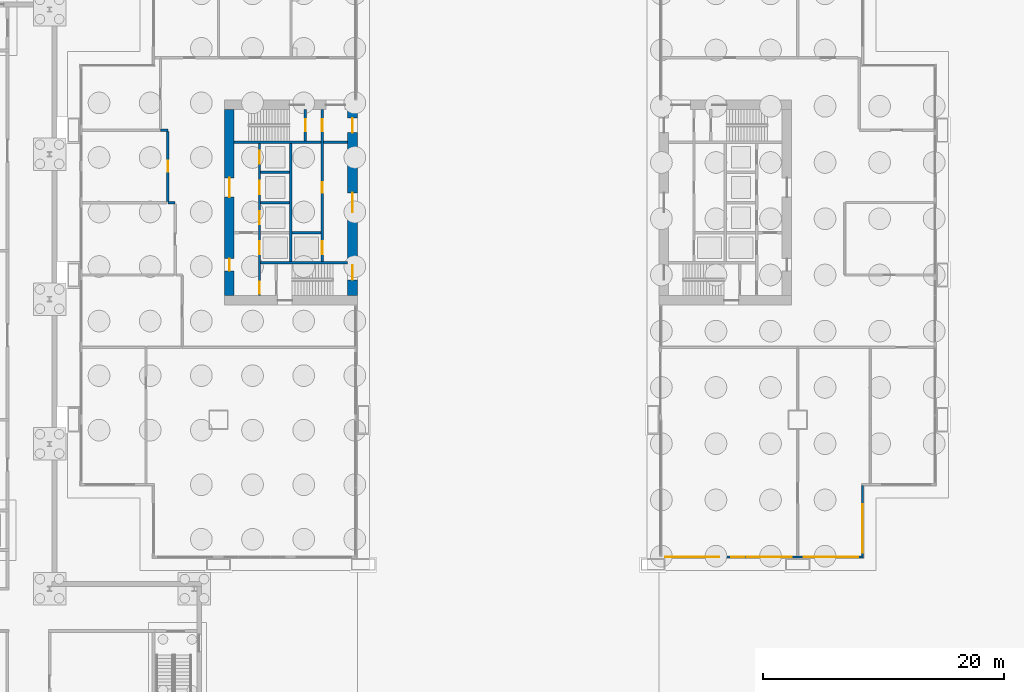
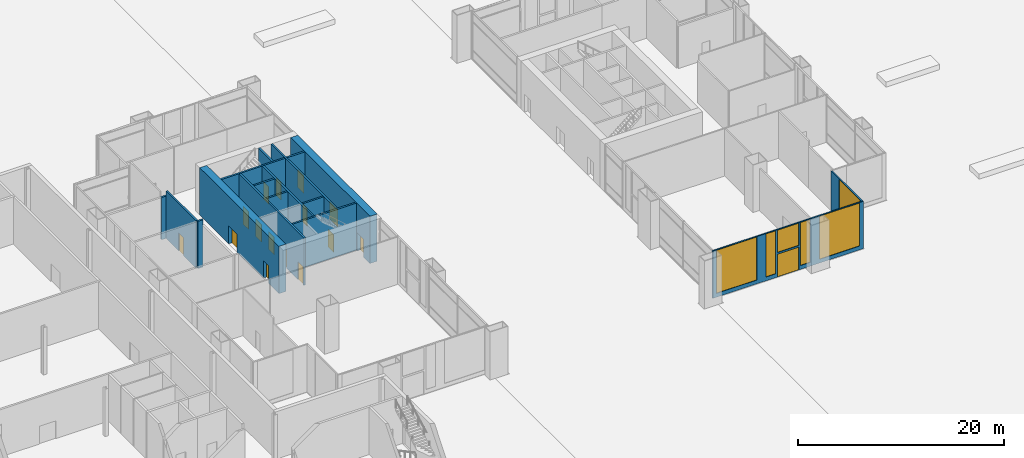
# One storey, part 21 of 29: 17 walls, 16 doors, 6 windows, 22 openings.
"""IFC4 building model written with IfcOpenShell, lengths in metres."""

import ifcopenshell
import ifcopenshell.guid

model = None  # the IFC model being written
_history = None  # IfcOwnerHistory: only IFC2X3 demands one
_inside = {}  # id of a spatial element -> (the spatial element, [elements in it])
_under = {}  # id of a project, library or spatial element -> (it, [spatial elements below it])
_declared = {}  # id of a project -> (the project, [libraries it declares])
_typed = {}  # id of a type object -> (the type object, [elements of that type])
_made_of = {}  # id of a material, layer set ... -> (it, [elements and type objects made of it])


def new_model(schema):
    """Start an empty IFC model of exactly this schema.

    Asked for "IFC4X3", IfcOpenShell would pick the latest addendum, in which some entities
    have other attributes; the version numbers below select the first issue.
    IFC2X3 requires an IfcOwnerHistory on every rooted entity: one is made here for all.
    """
    global model, _history
    if schema == "IFC4X3":
        model = ifcopenshell.file(schema_version=(4, 3, 0, 0))
    else:
        model = ifcopenshell.file(schema=schema)
    _inside.clear()
    _under.clear()
    _declared.clear()
    _typed.clear()
    _made_of.clear()
    _history = None
    if model.schema == "IFC2X3":
        org = make("IfcOrganization", Name="unknown")
        user = make(
            "IfcPersonAndOrganization",
            ThePerson=make("IfcPerson", FamilyName="unknown"),
            TheOrganization=org,
        )
        app = make(
            "IfcApplication",
            ApplicationDeveloper=org,
            Version="unknown",
            ApplicationFullName="unknown",
            ApplicationIdentifier="unknown",
        )
        _history = make(
            "IfcOwnerHistory",
            OwningUser=user,
            OwningApplication=app,
            ChangeAction="ADDED",
            CreationDate=0,
        )
    return model


def make(cls, **values):
    """One entity of the class cls with the attributes given. An attribute that is None is left unset."""
    return model.create_entity(
        cls, **{name: value for name, value in values.items() if value is not None}
    )


def rooted(cls, **values):
    """An entity with a GlobalId (a new one), such as an element, a storey or a relation."""
    return make(cls, GlobalId=ifcopenshell.guid.new(), OwnerHistory=_history, **values)


def si_unit(unit_type, name, prefix=None):
    """IfcSIUnit, for example si_unit("LENGTHUNIT", "METRE", prefix="MILLI")."""
    return make("IfcSIUnit", UnitType=unit_type, Prefix=prefix, Name=name)


def assignment(units):
    """IfcUnitAssignment: the units of a project."""
    return None if units is None else make("IfcUnitAssignment", Units=units)


def point(xyz):
    """IfcCartesianPoint."""
    return None if xyz is None else make("IfcCartesianPoint", Coordinates=xyz)


def direction(xyz):
    """IfcDirection."""
    return None if xyz is None else make("IfcDirection", DirectionRatios=xyz)


def frame(location, z_axis=None, x_axis=None):
    """IfcAxis2Placement3D, a coordinate frame: its origin and axes. An axis left out is left unset."""
    return make(
        "IfcAxis2Placement3D",
        Location=point(location),
        Axis=direction(z_axis),
        RefDirection=direction(x_axis),
    )


def frame_2d(location, x_axis=None):
    """IfcAxis2Placement2D, a coordinate frame in the plane: its origin and x axis."""
    return make(
        "IfcAxis2Placement2D", Location=point(location), RefDirection=direction(x_axis)
    )


def origin():
    """The frame at (0, 0, 0) with its axes left unset."""
    return frame((0.0, 0.0, 0.0))


def place(relative_to, where):
    """IfcLocalPlacement: puts the frame where relative to a parent placement (None: the world)."""
    return make(
        "IfcLocalPlacement", PlacementRelTo=relative_to, RelativePlacement=where
    )


def context(
    kind, dimensions, precision=None, world=None, true_north=None, identifier=None
):
    """IfcGeometricRepresentationContext, for example the 3D "Model" context."""
    return make(
        "IfcGeometricRepresentationContext",
        ContextIdentifier=identifier,
        ContextType=kind,
        CoordinateSpaceDimension=dimensions,
        Precision=precision,
        WorldCoordinateSystem=world,
        TrueNorth=true_north,
    )


def subcontext(parent, identifier, kind, view, scale=None):
    """IfcGeometricRepresentationSubContext, for example "Body" below "Model"."""
    return make(
        "IfcGeometricRepresentationSubContext",
        ContextIdentifier=identifier,
        ContextType=kind,
        ParentContext=parent,
        TargetScale=scale,
        TargetView=view,
    )


def project(units=None, contexts=None):
    """IfcProject with its units and contexts."""
    return rooted(
        "IfcProject",
        Name="project",
        RepresentationContexts=contexts,
        UnitsInContext=assignment(units),
    )


def spatial(cls, under=None, at=None, **own):
    """A site, building, storey or space (cls), placed at a placement, below another one or the project."""
    s = rooted(cls, ObjectPlacement=at, **own)
    if under is not None:
        _under.setdefault(under.id(), (under, []))[1].append(s)
    return s


def profile(cls, at=None, kind="AREA", **sizes):
    """A parametric profile (cls). Its sizes go by their IFC names, for example OverallWidth=200.0."""
    return make(cls, ProfileType=kind, Position=at, **sizes)


def rectangle(**sizes):
    """IfcRectangleProfileDef."""
    return profile("IfcRectangleProfileDef", **sizes)


def extrude(swept, where, along, depth):
    """IfcExtrudedAreaSolid: the profile swept, set in the frame where, extruded along a direction by depth."""
    return make(
        "IfcExtrudedAreaSolid",
        SweptArea=swept,
        Position=where,
        ExtrudedDirection=direction(along),
        Depth=depth,
    )


def shape(context_of_items, identifier, shape_type, items):
    """IfcShapeRepresentation: the items that make up one representation, for example the "Body"."""
    return make(
        "IfcShapeRepresentation",
        ContextOfItems=context_of_items,
        RepresentationIdentifier=identifier,
        RepresentationType=shape_type,
        Items=items,
    )


def material(Name=None, Category=None):
    """IfcMaterial."""
    return make("IfcMaterial", Name=Name, Category=Category)


def layer(
    of_material, thickness, ventilated=None, Name=None, Category=None, Priority=None
):
    """IfcMaterialLayer: one layer of a wall or slab, of a material (None: an air gap)."""
    return make(
        "IfcMaterialLayer",
        Material=of_material,
        LayerThickness=thickness,
        IsVentilated=ventilated,
        Name=Name,
        Category=Category,
        Priority=Priority,
    )


def layer_set(layers, Name=None):
    """IfcMaterialLayerSet."""
    return make("IfcMaterialLayerSet", MaterialLayers=layers, LayerSetName=Name)


def made_of(thing, what):
    """Note that an element or type object is made of a material, layer set ...; save() writes the relation."""
    if what is not None:
        _made_of.setdefault(what.id(), (what, []))[1].append(thing)
    return thing


def type_object(cls, material=None, **own):
    """A type object (cls), such as IfcWallType, which elements share."""
    return made_of(rooted(cls, **own), material)


def element(
    cls,
    number,
    at=None,
    inside=None,
    cuts=None,
    type_object=None,
    material=None,
    context=None,
    identifier="Body",
    shape_type=None,
    held_by="IfcProductDefinitionShape",
    body=None,
    shapes=None,
    **own,
):
    """One element of the class cls, such as IfcWall. Its Tag is "e" and its number.

    at: its placement. inside: the storey or other place that contains it. cuts: it is an
    opening in that element (IfcRelVoidsElement). A single representation is given by context,
    identifier, shape_type and body (its items); several are given by shapes. held_by: the class
    of the entity that holds the representations. save() writes the other relations.
    """
    e = rooted(cls, Tag="e%d" % number, ObjectPlacement=at, **own)
    if body is not None:
        shapes = [shape(context, identifier, shape_type, body)]
    if shapes is not None:
        e.Representation = make(held_by, Representations=shapes)
    if inside is not None:
        _inside.setdefault(inside.id(), (inside, []))[1].append(e)
    if cuts is not None:
        rooted(
            "IfcRelVoidsElement", RelatingBuildingElement=cuts, RelatedOpeningElement=e
        )
    if type_object is not None:
        _typed.setdefault(type_object.id(), (type_object, []))[1].append(e)
    return made_of(e, material)


def fill(opening, filler):
    """IfcRelFillsElement: the door or window that sits in an opening."""
    return rooted(
        "IfcRelFillsElement",
        RelatingOpeningElement=opening,
        RelatedBuildingElement=filler,
    )


def aggregate(whole, parts):
    """IfcRelAggregates: a whole, such as a stair, and the parts it consists of."""
    return rooted("IfcRelAggregates", RelatingObject=whole, RelatedObjects=parts)


def save(model, path):
    """Write the relations noted so far, then the file.

    IfcRelAggregates (storeys below a building ...), IfcRelContainedInSpatialStructure (elements
    in a storey), IfcRelDefinesByType, IfcRelAssociatesMaterial and IfcRelDeclares: one each for
    every whole, place, type object, material and project.
    """
    for whole, parts in _under.values():
        aggregate(whole, parts)
    for where, things in _inside.values():
        rooted(
            "IfcRelContainedInSpatialStructure",
            RelatedElements=things,
            RelatingStructure=where,
        )
    for kind, things in _typed.values():
        rooted("IfcRelDefinesByType", RelatedObjects=things, RelatingType=kind)
    for what, things in _made_of.values():
        rooted("IfcRelAssociatesMaterial", RelatedObjects=things, RelatingMaterial=what)
    for by, libraries in _declared.values():
        rooted("IfcRelDeclares", RelatingContext=by, RelatedDefinitions=libraries)
    model.write(path)


model = new_model("IFC4")

# Units and contexts
model_context = context("Model", 3, precision=1e-05, world=origin(), true_north=direction((0.0, 1.0)))
body_context = subcontext(model_context, "Body", "Model", "MODEL_VIEW")
ifc_project = project(units=[si_unit("LENGTHUNIT", "METRE"), si_unit("AREAUNIT", "SQUARE_METRE"), si_unit("VOLUMEUNIT", "CUBIC_METRE"), si_unit("PLANEANGLEUNIT", "RADIAN"), si_unit("MASSUNIT", "GRAM", prefix="KILO")], contexts=[model_context])

# Site, building, storey
site_placement = place(None, origin())
site = spatial("IfcSite", under=ifc_project, at=site_placement, CompositionType="ELEMENT")
building_placement = place(site_placement, origin())
building = spatial("IfcBuilding", under=site, at=building_placement, Name="Kitamizu Gate Tower and Museum", CompositionType="ELEMENT")
storey_placement = place(building_placement, origin())
storey = spatial("IfcBuildingStorey", under=building, at=storey_placement, Name="L00", CompositionType="ELEMENT", Elevation=0.0)

# Wall, openings, doors
ifc_material_1 = material(Name="Concrete Fc60", Category="concrete")
ifc_layer_1 = layer(ifc_material_1, 0.800048828125)
ifc_layer_set_1 = layer_set([ifc_layer_1], Name="Concrete Fc60")
wall_type_1 = type_object("IfcWallType", Name="Core wall 800", PredefinedType="SHEAR", material=ifc_layer_set_1)
wall_1_placement = place(storey_placement, frame((12.89990234375, 22.300048828125, 0.0), z_axis=(0.0, 0.0, 1.0), x_axis=(0.0, 1.0, 0.0)))
wall_1 = element("IfcWall", 1, at=wall_1_placement, inside=storey, type_object=wall_type_1, Name="Core wall WOUT", PredefinedType="SHEAR", context=body_context, shape_type="SweptSolid", body=[
    extrude(rectangle(XDim=15.39990234375, YDim=0.800048828125, at=frame_2d((7.699951171875, 0.0))), origin(), (0.0, 0.0, 1.0), 5.60009765625),
])
opening_1_placement = place(wall_1_placement, frame((8.14990234375, 0.0, 0.0)))
opening_1 = element("IfcOpeningElement", 2, at=opening_1_placement, cuts=wall_1, Name="Opening L00-020", PredefinedType="OPENING", context=body_context, shape_type="SweptSolid", body=[
    extrude(rectangle(XDim=1.60009765625, YDim=2.10009765625, at=frame_2d((0.800048828125, 1.050048828125))), frame((0.0, 0.41015625, 0.0), z_axis=(0.0, -1.0, 0.0), x_axis=(1.0, 0.0, 0.0)), (0.0, 0.0, 1.0), 0.820068359375),
])
opening_2_placement = place(wall_1_placement, frame((2.050048828125, 0.0, 0.0)))
opening_2 = element("IfcOpeningElement", 3, at=opening_2_placement, cuts=wall_1, Name="Opening L00-021", PredefinedType="OPENING", context=body_context, shape_type="SweptSolid", body=[
    extrude(rectangle(XDim=1.0, YDim=2.10009765625, at=frame_2d((0.5, 1.050048828125))), frame((0.0, 0.41015625, 0.0), z_axis=(0.0, -1.0, 0.0), x_axis=(1.0, 0.0, 0.0)), (0.0, 0.0, 1.0), 0.820068359375),
])
ifc_material_2 = material(Name="Timber door set", Category="wood")
door_type_1 = type_object("IfcDoorType", Name="Entrance door 1600", OperationType="DOUBLE_DOOR_SINGLE_SWING", PredefinedType="DOOR", material=ifc_material_2)
door_1_placement = place(opening_1_placement, origin())
door_1 = element("IfcDoor", 4, at=door_1_placement, inside=storey, type_object=door_type_1, Name="Lobby door L00-020", OperationType="DOUBLE_DOOR_SINGLE_SWING", OverallHeight=2.10009765625, OverallWidth=1.60009765625, PredefinedType="DOOR", context=body_context, shape_type="SweptSolid", body=[
    extrude(rectangle(XDim=1.60009765625, YDim=2.10009765625, at=frame_2d((0.800048828125, 1.050048828125))), frame((0.0, 0.02490234375, 0.0), z_axis=(0.0, -1.0, 0.0), x_axis=(1.0, 0.0, 0.0)), (0.0, 0.0, 1.0), 0.050048828125),
])
fill(opening_1, door_1)
ifc_material_3 = material(Name="Hollow metal door set")
door_type_2 = type_object("IfcDoorType", Name="Fire door 1000", OperationType="NOTDEFINED", PredefinedType="DOOR", material=ifc_material_3)
door_2_placement = place(opening_2_placement, frame((1.0, 0.0, 0.0), x_axis=(-1.0, 0.0, 0.0)))
door_2 = element("IfcDoor", 5, at=door_2_placement, inside=storey, type_object=door_type_2, Name="Fire-fighting lobby door L00-021", OperationType="SINGLE_SWING_RIGHT", OverallHeight=2.10009765625, OverallWidth=1.0, PredefinedType="DOOR", context=body_context, shape_type="SweptSolid", body=[
    extrude(rectangle(XDim=1.0, YDim=2.10009765625, at=frame_2d((0.5, 1.050048828125))), frame((0.0, 0.02490234375, 0.0), z_axis=(0.0, -1.0, 0.0), x_axis=(1.0, 0.0, 0.0)), (0.0, 0.0, 1.0), 0.050048828125),
])
fill(opening_2, door_2)

wall_2_placement = place(storey_placement, frame((23.10009765625, 22.300048828125, 0.0), z_axis=(0.0, 0.0, 1.0), x_axis=(0.0, 1.0, 0.0)))
wall_2 = element("IfcWall", 6, at=wall_2_placement, inside=storey, type_object=wall_type_1, Name="Core wall WARC", PredefinedType="SHEAR", context=body_context, shape_type="SweptSolid", body=[
    extrude(rectangle(XDim=15.39990234375, YDim=0.800048828125, at=frame_2d((7.699951171875, 0.0))), origin(), (0.0, 0.0, 1.0), 5.60009765625),
])
opening_3_placement = place(wall_2_placement, frame((6.89990234375, 0.0, 0.0)))
opening_3 = element("IfcOpeningElement", 7, at=opening_3_placement, cuts=wall_2, Name="Opening L00-023", PredefinedType="OPENING", context=body_context, shape_type="SweptSolid", body=[
    extrude(rectangle(XDim=1.60009765625, YDim=2.10009765625, at=frame_2d((0.800048828125, 1.050048828125))), frame((0.0, 0.41015625, 0.0), z_axis=(0.0, -1.0, 0.0), x_axis=(1.0, 0.0, 0.0)), (0.0, 0.0, 1.0), 0.820068359375),
])
opening_4_placement = place(wall_2_placement, frame((1.300048828125, 0.0, 0.0)))
opening_4 = element("IfcOpeningElement", 8, at=opening_4_placement, cuts=wall_2, Name="Opening L00-951", PredefinedType="OPENING", context=body_context, shape_type="SweptSolid", body=[
    extrude(rectangle(XDim=1.199951171875, YDim=2.10009765625, at=frame_2d((0.60009765625, 1.050048828125))), frame((0.0, 0.41015625, 0.0), z_axis=(0.0, -1.0, 0.0), x_axis=(1.0, 0.0, 0.0)), (0.0, 0.0, 1.0), 0.820068359375),
])
opening_5_placement = place(wall_2_placement, frame((13.5, 0.0, 0.0)))
opening_5 = element("IfcOpeningElement", 9, at=opening_5_placement, cuts=wall_2, Name="Opening L00-952", PredefinedType="OPENING", context=body_context, shape_type="SweptSolid", body=[
    extrude(rectangle(XDim=1.199951171875, YDim=2.10009765625, at=frame_2d((0.60009765625, 1.050048828125))), frame((0.0, 0.41015625, 0.0), z_axis=(0.0, -1.0, 0.0), x_axis=(1.0, 0.0, 0.0)), (0.0, 0.0, 1.0), 0.820068359375),
])
door_3_placement = place(opening_3_placement, frame((1.60009765625, 0.0, 0.0), x_axis=(-1.0, 0.0, 0.0)))
door_3 = element("IfcDoor", 10, at=door_3_placement, inside=storey, type_object=door_type_1, Name="Lobby door L00-023", OperationType="DOUBLE_DOOR_SINGLE_SWING", OverallHeight=2.10009765625, OverallWidth=1.60009765625, PredefinedType="DOOR", context=body_context, shape_type="SweptSolid", body=[
    extrude(rectangle(XDim=1.60009765625, YDim=2.10009765625, at=frame_2d((0.800048828125, 1.050048828125))), frame((0.0, 0.02490234375, 0.0), z_axis=(0.0, -1.0, 0.0), x_axis=(1.0, 0.0, 0.0)), (0.0, 0.0, 1.0), 0.050048828125),
])
fill(opening_3, door_3)
ifc_material_4 = material(Name="Timber door set", Category="wood")
door_type_3 = type_object("IfcDoorType", Name="Exit door 1200", OperationType="DOUBLE_DOOR_SINGLE_SWING", PredefinedType="DOOR", material=ifc_material_4)
door_4_placement = place(opening_4_placement, frame((1.199951171875, 0.0, 0.0), x_axis=(-1.0, 0.0, 0.0)))
door_4 = element("IfcDoor", 11, at=door_4_placement, inside=storey, type_object=door_type_3, Name="Final exit door L00-951", OperationType="DOUBLE_DOOR_SINGLE_SWING", OverallHeight=2.10009765625, OverallWidth=1.199951171875, PredefinedType="DOOR", context=body_context, shape_type="SweptSolid", body=[
    extrude(rectangle(XDim=1.199951171875, YDim=2.10009765625, at=frame_2d((0.60009765625, 1.050048828125))), frame((0.0, 0.02490234375, 0.0), z_axis=(0.0, -1.0, 0.0), x_axis=(1.0, 0.0, 0.0)), (0.0, 0.0, 1.0), 0.050048828125),
])
fill(opening_4, door_4)
door_5_placement = place(opening_5_placement, frame((1.199951171875, 0.0, 0.0), x_axis=(-1.0, 0.0, 0.0)))
door_5 = element("IfcDoor", 12, at=door_5_placement, inside=storey, type_object=door_type_3, Name="Final exit door L00-952", OperationType="DOUBLE_DOOR_SINGLE_SWING", OverallHeight=2.10009765625, OverallWidth=1.199951171875, PredefinedType="DOOR", context=body_context, shape_type="SweptSolid", body=[
    extrude(rectangle(XDim=1.199951171875, YDim=2.10009765625, at=frame_2d((0.60009765625, 1.050048828125))), frame((0.0, 0.02490234375, 0.0), z_axis=(0.0, -1.0, 0.0), x_axis=(1.0, 0.0, 0.0)), (0.0, 0.0, 1.0), 0.050048828125),
])
fill(opening_5, door_5)

# Walls
ifc_material_5 = material(Name="Gypsum board on galvanised stud")
ifc_layer_2 = layer(ifc_material_5, 0.199951171875)
ifc_layer_set_2 = layer_set([ifc_layer_2], Name="Gypsum board on galvanised stud")
wall_type_2 = type_object("IfcWallType", Name="Partition 200", PredefinedType="PARTITIONING", material=ifc_layer_set_2)
wall_3_placement = place(storey_placement, frame((7.800048828125, 30.0, 0.0), z_axis=(0.0, 0.0, 1.0), x_axis=(1.0, 0.0, 0.0)))
element("IfcWall", 13, at=wall_3_placement, inside=storey, type_object=wall_type_2, Name="Partition L00-004", PredefinedType="PARTITIONING", context=body_context, shape_type="SweptSolid", body=[
    extrude(rectangle(XDim=0.599853515625, YDim=0.199951171875, at=frame_2d((0.2998046875, 0.0))), origin(), (0.0, 0.0, 1.0), 5.60009765625),
])
wall_4_placement = place(storey_placement, frame((7.199951171875, 36.0, 0.0), z_axis=(0.0, 0.0, 1.0), x_axis=(1.0, 0.0, 0.0)))
element("IfcWall", 14, at=wall_4_placement, inside=storey, type_object=wall_type_2, Name="Partition L00-006", PredefinedType="PARTITIONING", context=body_context, shape_type="SweptSolid", body=[
    extrude(rectangle(XDim=0.60009765625, YDim=0.199951171875, at=frame_2d((0.300048828125, 0.0))), origin(), (0.0, 0.0, 1.0), 5.0),
])

# Wall, opening, door
wall_5_placement = place(storey_placement, frame((7.800048828125, 35.89990234375, 0.0), z_axis=(0.0, 0.0, 1.0), x_axis=(0.0, -1.0, 0.0)))
wall_5 = element("IfcWall", 15, at=wall_5_placement, inside=storey, type_object=wall_type_2, Name="Partition L00-007", PredefinedType="PARTITIONING", context=body_context, shape_type="SweptSolid", body=[
    extrude(rectangle(XDim=5.7998046875, YDim=0.199951171875, at=frame_2d((2.89990234375, 0.0))), origin(), (0.0, 0.0, 1.0), 5.60009765625),
])
opening_6_placement = place(wall_5_placement, frame((2.449951171875, 0.0, 0.0)))
opening_6 = element("IfcOpeningElement", 16, at=opening_6_placement, cuts=wall_5, Name="Opening L00-010", PredefinedType="OPENING", context=body_context, shape_type="SweptSolid", body=[
    extrude(rectangle(XDim=0.89990234375, YDim=2.10009765625, at=frame_2d((0.449951171875, 1.050048828125))), frame((0.0, 0.10986328125, 0.0), z_axis=(0.0, -1.0, 0.0), x_axis=(1.0, 0.0, 0.0)), (0.0, 0.0, 1.0), 0.219970703125),
])
ifc_material_6 = material(Name="Timber door set", Category="wood")
door_type_4 = type_object("IfcDoorType", Name="Store door 900", OperationType="NOTDEFINED", PredefinedType="DOOR", material=ifc_material_6)
door_6_placement = place(opening_6_placement, frame((0.89990234375, 0.0, 0.0), x_axis=(-1.0, 0.0, 0.0)))
door_6 = element("IfcDoor", 17, at=door_6_placement, inside=storey, type_object=door_type_4, Name="Store door L00-010", OperationType="SINGLE_SWING_RIGHT", OverallHeight=2.10009765625, OverallWidth=0.89990234375, PredefinedType="DOOR", context=body_context, shape_type="SweptSolid", body=[
    extrude(rectangle(XDim=0.89990234375, YDim=2.10009765625, at=frame_2d((0.449951171875, 1.050048828125))), frame((0.0, 0.02490234375, 0.0), z_axis=(0.0, -1.0, 0.0), x_axis=(1.0, 0.0, 0.0)), (0.0, 0.0, 1.0), 0.050048828125),
])
fill(opening_6, door_6)

# Wall, openings, doors
ifc_material_7 = material(Name="Concrete Fc42", Category="concrete")
ifc_layer_3 = layer(ifc_material_7, 0.199951171875)
ifc_layer_set_3 = layer_set([ifc_layer_3], Name="Concrete Fc42")
wall_type_3 = type_object("IfcWallType", Name="Shaft wall 200", PredefinedType="SOLIDWALL", material=ifc_layer_set_3)
wall_6_placement = place(storey_placement, frame((15.39990234375, 22.300048828125, 0.0), z_axis=(0.0, 0.0, 1.0), x_axis=(0.0, 1.0, 0.0)))
wall_6 = element("IfcWall", 18, at=wall_6_placement, inside=storey, type_object=wall_type_3, Name="Shaft wall WWEST", PredefinedType="SOLIDWALL", context=body_context, shape_type="SweptSolid", body=[
    extrude(rectangle(XDim=12.599853515625, YDim=0.199951171875, at=frame_2d((6.2998046875, 0.0))), origin(), (0.0, 0.0, 1.0), 5.60009765625),
])
opening_7_placement = place(wall_6_placement, frame((3.39990234375, 0.0, 0.0)))
opening_7 = element("IfcOpeningElement", 19, at=opening_7_placement, cuts=wall_6, Name="Opening LD", PredefinedType="OPENING", context=body_context, shape_type="SweptSolid", body=[
    extrude(rectangle(XDim=1.10009765625, YDim=2.10009765625, at=frame_2d((0.550048828125, 1.050048828125))), frame((0.0, 0.10986328125, 0.0), z_axis=(0.0, -1.0, 0.0), x_axis=(1.0, 0.0, 0.0)), (0.0, 0.0, 1.0), 0.219970703125),
])
opening_8_placement = place(wall_6_placement, frame((5.89990234375, 0.0, 0.0)))
opening_8 = element("IfcOpeningElement", 20, at=opening_8_placement, cuts=wall_6, Name="Opening LD", PredefinedType="OPENING", context=body_context, shape_type="SweptSolid", body=[
    extrude(rectangle(XDim=1.10009765625, YDim=2.10009765625, at=frame_2d((0.550048828125, 1.050048828125))), frame((0.0, 0.10986328125, 0.0), z_axis=(0.0, -1.0, 0.0), x_axis=(1.0, 0.0, 0.0)), (0.0, 0.0, 1.0), 0.219970703125),
])
opening_9_placement = place(wall_6_placement, frame((8.39990234375, 0.0, 0.0)))
opening_9 = element("IfcOpeningElement", 21, at=opening_9_placement, cuts=wall_6, Name="Opening LD", PredefinedType="OPENING", context=body_context, shape_type="SweptSolid", body=[
    extrude(rectangle(XDim=1.10009765625, YDim=2.10009765625, at=frame_2d((0.550048828125, 1.050048828125))), frame((0.0, 0.10986328125, 0.0), z_axis=(0.0, -1.0, 0.0), x_axis=(1.0, 0.0, 0.0)), (0.0, 0.0, 1.0), 0.219970703125),
])
opening_10_placement = place(wall_6_placement, frame((10.89990234375, 0.0, 0.0)))
opening_10 = element("IfcOpeningElement", 22, at=opening_10_placement, cuts=wall_6, Name="Opening LD", PredefinedType="OPENING", context=body_context, shape_type="SweptSolid", body=[
    extrude(rectangle(XDim=1.10009765625, YDim=2.10009765625, at=frame_2d((0.550048828125, 1.050048828125))), frame((0.0, 0.10986328125, 0.0), z_axis=(0.0, -1.0, 0.0), x_axis=(1.0, 0.0, 0.0)), (0.0, 0.0, 1.0), 0.219970703125),
])
opening_11_placement = place(wall_6_placement, frame((0.14990234375, 0.0, 0.0)))
opening_11 = element("IfcOpeningElement", 23, at=opening_11_placement, cuts=wall_6, Name="Opening L00-016", PredefinedType="OPENING", context=body_context, shape_type="SweptSolid", body=[
    extrude(rectangle(XDim=1.0, YDim=2.10009765625, at=frame_2d((0.5, 1.050048828125))), frame((0.0, 0.10986328125, 0.0), z_axis=(0.0, -1.0, 0.0), x_axis=(1.0, 0.0, 0.0)), (0.0, 0.0, 1.0), 0.219970703125),
])
door_7_placement = place(opening_11_placement, frame((1.0, 0.0, 0.0), x_axis=(-1.0, 0.0, 0.0)))
door_7 = element("IfcDoor", 24, at=door_7_placement, inside=storey, type_object=door_type_2, Name="Stair lobby door L00-016", OperationType="SINGLE_SWING_LEFT", OverallHeight=2.10009765625, OverallWidth=1.0, PredefinedType="DOOR", context=body_context, shape_type="SweptSolid", body=[
    extrude(rectangle(XDim=1.0, YDim=2.10009765625, at=frame_2d((0.5, 1.050048828125))), frame((0.0, 0.02490234375, 0.0), z_axis=(0.0, -1.0, 0.0), x_axis=(1.0, 0.0, 0.0)), (0.0, 0.0, 1.0), 0.050048828125),
])
fill(opening_11, door_7)
ifc_material_8 = material(Name="Hollow metal door set")
door_type_5 = type_object("IfcDoorType", Name="Landing door 1100", OperationType="SLIDING_TO_LEFT", PredefinedType="DOOR", material=ifc_material_8)
door_8_placement = place(opening_7_placement, origin())
door_8 = element("IfcDoor", 25, at=door_8_placement, inside=storey, type_object=door_type_5, Name="Landing door WFF1", OperationType="SLIDING_TO_LEFT", OverallHeight=2.10009765625, OverallWidth=1.10009765625, PredefinedType="DOOR", context=body_context, shape_type="SweptSolid", body=[
    extrude(rectangle(XDim=1.10009765625, YDim=2.10009765625, at=frame_2d((0.550048828125, 1.050048828125))), frame((0.0, 0.02490234375, 0.0), z_axis=(0.0, -1.0, 0.0), x_axis=(1.0, 0.0, 0.0)), (0.0, 0.0, 1.0), 0.050048828125),
])
fill(opening_7, door_8)
door_9_placement = place(opening_8_placement, origin())
door_9 = element("IfcDoor", 26, at=door_9_placement, inside=storey, type_object=door_type_5, Name="Landing door WL1", OperationType="SLIDING_TO_LEFT", OverallHeight=2.10009765625, OverallWidth=1.10009765625, PredefinedType="DOOR", context=body_context, shape_type="SweptSolid", body=[
    extrude(rectangle(XDim=1.10009765625, YDim=2.10009765625, at=frame_2d((0.550048828125, 1.050048828125))), frame((0.0, 0.02490234375, 0.0), z_axis=(0.0, -1.0, 0.0), x_axis=(1.0, 0.0, 0.0)), (0.0, 0.0, 1.0), 0.050048828125),
])
fill(opening_8, door_9)
door_10_placement = place(opening_9_placement, origin())
door_10 = element("IfcDoor", 27, at=door_10_placement, inside=storey, type_object=door_type_5, Name="Landing door WL2", OperationType="SLIDING_TO_LEFT", OverallHeight=2.10009765625, OverallWidth=1.10009765625, PredefinedType="DOOR", context=body_context, shape_type="SweptSolid", body=[
    extrude(rectangle(XDim=1.10009765625, YDim=2.10009765625, at=frame_2d((0.550048828125, 1.050048828125))), frame((0.0, 0.02490234375, 0.0), z_axis=(0.0, -1.0, 0.0), x_axis=(1.0, 0.0, 0.0)), (0.0, 0.0, 1.0), 0.050048828125),
])
fill(opening_9, door_10)
door_11_placement = place(opening_10_placement, origin())
door_11 = element("IfcDoor", 28, at=door_11_placement, inside=storey, type_object=door_type_5, Name="Landing door WL3", OperationType="SLIDING_TO_LEFT", OverallHeight=2.10009765625, OverallWidth=1.10009765625, PredefinedType="DOOR", context=body_context, shape_type="SweptSolid", body=[
    extrude(rectangle(XDim=1.10009765625, YDim=2.10009765625, at=frame_2d((0.550048828125, 1.050048828125))), frame((0.0, 0.02490234375, 0.0), z_axis=(0.0, -1.0, 0.0), x_axis=(1.0, 0.0, 0.0)), (0.0, 0.0, 1.0), 0.050048828125),
])
fill(opening_10, door_11)

wall_7_placement = place(storey_placement, frame((20.60009765625, 25.10009765625, 0.0), z_axis=(0.0, 0.0, 1.0), x_axis=(0.0, 1.0, 0.0)))
wall_7 = element("IfcWall", 29, at=wall_7_placement, inside=storey, type_object=wall_type_3, Name="Shaft wall WEAST", PredefinedType="SOLIDWALL", context=body_context, shape_type="SweptSolid", body=[
    extrude(rectangle(XDim=12.599853515625, YDim=0.199951171875, at=frame_2d((6.2998046875, 0.0))), origin(), (0.0, 0.0, 1.0), 5.60009765625),
])
opening_12_placement = place(wall_7_placement, frame((0.60009765625, 0.0, 0.0)))
opening_12 = element("IfcOpeningElement", 30, at=opening_12_placement, cuts=wall_7, Name="Opening LD", PredefinedType="OPENING", context=body_context, shape_type="SweptSolid", body=[
    extrude(rectangle(XDim=1.10009765625, YDim=2.10009765625, at=frame_2d((0.550048828125, 1.050048828125))), frame((0.0, 0.10986328125, 0.0), z_axis=(0.0, -1.0, 0.0), x_axis=(1.0, 0.0, 0.0)), (0.0, 0.0, 1.0), 0.219970703125),
])
opening_13_placement = place(wall_7_placement, frame((10.800048828125, 0.0, 0.0)))
opening_13 = element("IfcOpeningElement", 31, at=opening_13_placement, cuts=wall_7, Name="Opening L00-017", PredefinedType="OPENING", context=body_context, shape_type="SweptSolid", body=[
    extrude(rectangle(XDim=1.0, YDim=2.10009765625, at=frame_2d((0.5, 1.050048828125))), frame((0.0, 0.10986328125, 0.0), z_axis=(0.0, -1.0, 0.0), x_axis=(1.0, 0.0, 0.0)), (0.0, 0.0, 1.0), 0.219970703125),
])
opening_14_placement = place(wall_7_placement, frame((5.699951171875, 0.0, 0.0)))
opening_14 = element("IfcOpeningElement", 32, at=opening_14_placement, cuts=wall_7, Name="Opening L00-026", PredefinedType="OPENING", context=body_context, shape_type="SweptSolid", body=[
    extrude(rectangle(XDim=0.89990234375, YDim=2.10009765625, at=frame_2d((0.449951171875, 1.050048828125))), frame((0.0, 0.10986328125, 0.0), z_axis=(0.0, -1.0, 0.0), x_axis=(1.0, 0.0, 0.0)), (0.0, 0.0, 1.0), 0.219970703125),
])
door_12_placement = place(opening_13_placement, origin())
door_12 = element("IfcDoor", 33, at=door_12_placement, inside=storey, type_object=door_type_2, Name="Stair lobby door L00-017", OperationType="SINGLE_SWING_RIGHT", OverallHeight=2.10009765625, OverallWidth=1.0, PredefinedType="DOOR", context=body_context, shape_type="SweptSolid", body=[
    extrude(rectangle(XDim=1.0, YDim=2.10009765625, at=frame_2d((0.5, 1.050048828125))), frame((0.0, 0.02490234375, 0.0), z_axis=(0.0, -1.0, 0.0), x_axis=(1.0, 0.0, 0.0)), (0.0, 0.0, 1.0), 0.050048828125),
])
fill(opening_13, door_12)
door_13_placement = place(opening_12_placement, origin())
door_13 = element("IfcDoor", 34, at=door_13_placement, inside=storey, type_object=door_type_5, Name="Landing door WSV1", OperationType="SLIDING_TO_LEFT", OverallHeight=2.10009765625, OverallWidth=1.10009765625, PredefinedType="DOOR", context=body_context, shape_type="SweptSolid", body=[
    extrude(rectangle(XDim=1.10009765625, YDim=2.10009765625, at=frame_2d((0.550048828125, 1.050048828125))), frame((0.0, 0.02490234375, 0.0), z_axis=(0.0, -1.0, 0.0), x_axis=(1.0, 0.0, 0.0)), (0.0, 0.0, 1.0), 0.050048828125),
])
fill(opening_12, door_13)
ifc_material_9 = material(Name="Timber door set", Category="wood")
door_type_6 = type_object("IfcDoorType", Name="Service door 900", OperationType="NOTDEFINED", PredefinedType="DOOR", material=ifc_material_9)
door_14_placement = place(opening_14_placement, origin())
door_14 = element("IfcDoor", 35, at=door_14_placement, inside=storey, type_object=door_type_6, Name="Service door L00-026", OperationType="SINGLE_SWING_RIGHT", OverallHeight=2.10009765625, OverallWidth=0.89990234375, PredefinedType="DOOR", context=body_context, shape_type="SweptSolid", body=[
    extrude(rectangle(XDim=0.89990234375, YDim=2.10009765625, at=frame_2d((0.449951171875, 1.050048828125))), frame((0.0, 0.02490234375, 0.0), z_axis=(0.0, -1.0, 0.0), x_axis=(1.0, 0.0, 0.0)), (0.0, 0.0, 1.0), 0.050048828125),
])
fill(opening_14, door_14)

# Walls
wall_8_placement = place(storey_placement, frame((18.0, 25.10009765625, 0.0), z_axis=(0.0, 0.0, 1.0), x_axis=(0.0, 1.0, 0.0)))
element("IfcWall", 36, at=wall_8_placement, inside=storey, type_object=wall_type_3, Name="Shaft wall WMID", PredefinedType="SOLIDWALL", context=body_context, shape_type="SweptSolid", body=[
    extrude(rectangle(XDim=9.7998046875, YDim=0.199951171875, at=frame_2d((4.89990234375, 0.0))), origin(), (0.0, 0.0, 1.0), 5.60009765625),
])
for number, where, z_axis, x_axis, name in (
    (37, (15.5, 25.0, 0.0), (0.0, 0.0, 1.0), (1.0, 0.0, 0.0), "Shaft wall WSB"),
    (38, (13.300048828125, 35.0, 0.0), (0.0, 0.0, 1.0), (1.0, 0.0, 0.0), "Shaft wall WNB"),
):
    element("IfcWall", number, at=place(storey_placement, frame(where, z_axis=z_axis, x_axis=x_axis)), inside=storey, type_object=wall_type_3, Name=name, PredefinedType="SOLIDWALL", context=body_context, shape_type="SweptSolid", body=[
        extrude(rectangle(XDim=7.199951171875, YDim=0.199951171875, at=frame_2d((3.60009765625, 0.0))), origin(), (0.0, 0.0, 1.0), 5.60009765625),
    ])

# Wall, opening, door
wall_9_placement = place(storey_placement, frame((19.199951171875, 35.10009765625, 0.0), z_axis=(0.0, 0.0, 1.0), x_axis=(0.0, 1.0, 0.0)))
wall_9 = element("IfcWall", 39, at=wall_9_placement, inside=storey, type_object=wall_type_3, Name="Shaft wall WNZ", PredefinedType="SOLIDWALL", context=body_context, shape_type="SweptSolid", body=[
    extrude(rectangle(XDim=2.599853515625, YDim=0.199951171875, at=frame_2d((1.2998046875, 0.0))), origin(), (0.0, 0.0, 1.0), 5.60009765625),
])
opening_15_placement = place(wall_9_placement, frame((0.800048828125, 0.0, 0.0)))
opening_15 = element("IfcOpeningElement", 40, at=opening_15_placement, cuts=wall_9, Name="Opening L00-018", PredefinedType="OPENING", context=body_context, shape_type="SweptSolid", body=[
    extrude(rectangle(XDim=1.0, YDim=2.10009765625, at=frame_2d((0.5, 1.050048828125))), frame((0.0, 0.10986328125, 0.0), z_axis=(0.0, -1.0, 0.0), x_axis=(1.0, 0.0, 0.0)), (0.0, 0.0, 1.0), 0.219970703125),
])
door_15_placement = place(opening_15_placement, origin())
door_15 = element("IfcDoor", 41, at=door_15_placement, inside=storey, type_object=door_type_2, Name="Stair door L00-018", OperationType="SINGLE_SWING_LEFT", OverallHeight=2.10009765625, OverallWidth=1.0, PredefinedType="DOOR", context=body_context, shape_type="SweptSolid", body=[
    extrude(rectangle(XDim=1.0, YDim=2.10009765625, at=frame_2d((0.5, 1.050048828125))), frame((0.0, 0.02490234375, 0.0), z_axis=(0.0, -1.0, 0.0), x_axis=(1.0, 0.0, 0.0)), (0.0, 0.0, 1.0), 0.050048828125),
])
fill(opening_15, door_15)

# Walls
wall_10_placement = place(storey_placement, frame((20.699951171875, 35.0, 0.0), z_axis=(0.0, 0.0, 1.0), x_axis=(1.0, 0.0, 0.0)))
element("IfcWall", 42, at=wall_10_placement, inside=storey, type_object=wall_type_3, Name="Shaft wall WNBE", PredefinedType="SOLIDWALL", context=body_context, shape_type="SweptSolid", body=[
    extrude(rectangle(XDim=2.0, YDim=0.199951171875, at=frame_2d((1.0, 0.0))), origin(), (0.0, 0.0, 1.0), 5.60009765625),
])
for number, where, z_axis, x_axis, name in (
    (43, (15.5, 30.0, 0.0), (0.0, 0.0, 1.0), (1.0, 0.0, 0.0), "Shaft wall WDVW1"),
    (44, (15.5, 32.5, 0.0), (0.0, 0.0, 1.0), (1.0, 0.0, 0.0), "Shaft wall WDVW2"),
    (45, (18.10009765625, 27.5, 0.0), (0.0, 0.0, 1.0), (1.0, 0.0, 0.0), "Shaft wall WDVE0"),
):
    element("IfcWall", number, at=place(storey_placement, frame(where, z_axis=z_axis, x_axis=x_axis)), inside=storey, type_object=wall_type_3, Name=name, PredefinedType="SOLIDWALL", context=body_context, shape_type="SweptSolid", body=[
        extrude(rectangle(XDim=2.39990234375, YDim=0.199951171875, at=frame_2d((1.199951171875, 0.0))), origin(), (0.0, 0.0, 1.0), 5.60009765625),
    ])

# Wall, openings, door, windows
ifc_material_10 = material(Name="Bronze anodised aluminium frame with insulated spandrel and tinted glass", Category="aluminium")
ifc_layer_4 = layer(ifc_material_10, 0.14990234375)
ifc_layer_set_4 = layer_set([ifc_layer_4], Name="Bronze anodised aluminium frame with insulated spandrel and tinted glass")
wall_type_4 = type_object("IfcWallType", Name="WINDOW WALL 150 BRONZE FRAME EI 60", PredefinedType="ELEMENTEDWALL", material=ifc_layer_set_4)
wall_11_placement = place(storey_placement, frame((48.56005859375, 0.635009765625, 0.0), z_axis=(0.0, 0.0, 1.0), x_axis=(1.0, 0.0, 0.0)))
wall_11 = element("IfcWall", 46, at=wall_11_placement, inside=storey, type_object=wall_type_4, Name="Window wall south L00", PredefinedType="ELEMENTEDWALL", context=body_context, shape_type="SweptSolid", body=[
    extrude(rectangle(XDim=16.8798828125, YDim=0.14990234375, at=frame_2d((8.43994140625, 0.0))), origin(), (0.0, 0.0, 1.0), 5.60009765625),
])
opening_16_placement = place(wall_11_placement, frame((0.43994140625, 0.0, 0.449951171875)))
opening_16 = element("IfcOpeningElement", 47, at=opening_16_placement, cuts=wall_11, Name="Opening W21", PredefinedType="OPENING", context=body_context, shape_type="SweptSolid", body=[
    extrude(rectangle(XDim=4.5, YDim=5.10009765625, at=frame_2d((2.25, 2.550048828125))), frame((0.0, 0.0849609375, 0.0), z_axis=(0.0, -1.0, 0.0), x_axis=(1.0, 0.0, 0.0)), (0.0, 0.0, 1.0), 0.169921875),
])
opening_17_placement = place(wall_11_placement, frame((5.93994140625, 0.0, 0.449951171875)))
opening_17 = element("IfcOpeningElement", 48, at=opening_17_placement, cuts=wall_11, Name="Opening W9", PredefinedType="OPENING", context=body_context, shape_type="SweptSolid", body=[
    extrude(rectangle(XDim=1.10009765625, YDim=5.10009765625, at=frame_2d((0.550048828125, 2.550048828125))), frame((0.0, 0.0849609375, 0.0), z_axis=(0.0, -1.0, 0.0), x_axis=(1.0, 0.0, 0.0)), (0.0, 0.0, 1.0), 0.169921875),
])
opening_18_placement = place(wall_11_placement, frame((9.840087890625, 0.0, 0.449951171875)))
opening_18 = element("IfcOpeningElement", 49, at=opening_18_placement, cuts=wall_11, Name="Opening W9", PredefinedType="OPENING", context=body_context, shape_type="SweptSolid", body=[
    extrude(rectangle(XDim=1.10009765625, YDim=5.10009765625, at=frame_2d((0.550048828125, 2.550048828125))), frame((0.0, 0.0849609375, 0.0), z_axis=(0.0, -1.0, 0.0), x_axis=(1.0, 0.0, 0.0)), (0.0, 0.0, 1.0), 0.169921875),
])
opening_19_placement = place(wall_11_placement, frame((7.239990234375, 0.0, 0.0)))
opening_19 = element("IfcOpeningElement", 50, at=opening_19_placement, cuts=wall_11, Name="Opening L00-905", PredefinedType="OPENING", context=body_context, shape_type="SweptSolid", body=[
    extrude(rectangle(XDim=2.39990234375, YDim=2.699951171875, at=frame_2d((1.199951171875, 1.35009765625))), frame((0.0, 0.0849609375, 0.0), z_axis=(0.0, -1.0, 0.0), x_axis=(1.0, 0.0, 0.0)), (0.0, 0.0, 1.0), 0.169921875),
])
opening_20_placement = place(wall_11_placement, frame((7.239990234375, 0.0, 2.89990234375)))
opening_20 = element("IfcOpeningElement", 51, at=opening_20_placement, cuts=wall_11, Name="Opening W13", PredefinedType="OPENING", context=body_context, shape_type="SweptSolid", body=[
    extrude(rectangle(XDim=2.39990234375, YDim=2.64990234375, at=frame_2d((1.199951171875, 1.324951171875))), frame((0.0, 0.0849609375, 0.0), z_axis=(0.0, -1.0, 0.0), x_axis=(1.0, 0.0, 0.0)), (0.0, 0.0, 1.0), 0.169921875),
])
opening_21_placement = place(wall_11_placement, frame((11.93994140625, 0.0, 0.449951171875)))
opening_21 = element("IfcOpeningElement", 52, at=opening_21_placement, cuts=wall_11, Name="Opening W21", PredefinedType="OPENING", context=body_context, shape_type="SweptSolid", body=[
    extrude(rectangle(XDim=4.5, YDim=5.10009765625, at=frame_2d((2.25, 2.550048828125))), frame((0.0, 0.0849609375, 0.0), z_axis=(0.0, -1.0, 0.0), x_axis=(1.0, 0.0, 0.0)), (0.0, 0.0, 1.0), 0.169921875),
])
ifc_material_11 = material(Name="Bronze anodised aluminium frame, tinted toughened glass", Category="aluminium")
door_type_7 = type_object("IfcDoorType", Name="ENTRANCE DOOR 2400 x 2700 FIRE RATED", OperationType="DOUBLE_DOOR_SINGLE_SWING", PredefinedType="DOOR", material=ifc_material_11)
door_16_placement = place(opening_19_placement, frame((2.39990234375, 0.0, 0.0), x_axis=(-1.0, 0.0, 0.0)))
door_16 = element("IfcDoor", 53, at=door_16_placement, inside=storey, type_object=door_type_7, Name="Entrance door L00-905", OperationType="DOUBLE_DOOR_SINGLE_SWING", OverallHeight=2.699951171875, OverallWidth=2.39990234375, PredefinedType="DOOR", context=body_context, shape_type="SweptSolid", body=[
    extrude(rectangle(XDim=2.39990234375, YDim=2.699951171875, at=frame_2d((1.199951171875, 1.35009765625))), frame((0.0, 0.02490234375, 0.0), z_axis=(0.0, -1.0, 0.0), x_axis=(1.0, 0.0, 0.0)), (0.0, 0.0, 1.0), 0.050048828125),
])
fill(opening_19, door_16)
ifc_material_12 = material(Name="Bronze anodised aluminium frame, tinted triple glazing", Category="aluminium")
window_type_1 = type_object("IfcWindowType", Name="WINDOW 1100 x 5100 SILL 450", PartitioningType="SINGLE_PANEL", PredefinedType="WINDOW", material=ifc_material_12)
window_1_placement = place(opening_17_placement, origin())
window_1 = element("IfcWindow", 54, at=window_1_placement, inside=storey, type_object=window_type_1, Name="Window W9 L00", OverallHeight=5.10009765625, OverallWidth=1.10009765625, PartitioningType="SINGLE_PANEL", PredefinedType="WINDOW", context=body_context, shape_type="SweptSolid", body=[
    extrude(rectangle(XDim=1.10009765625, YDim=5.10009765625, at=frame_2d((0.550048828125, 2.550048828125))), frame((0.0, 0.030029296875, 0.0), z_axis=(0.0, -1.0, 0.0), x_axis=(1.0, 0.0, 0.0)), (0.0, 0.0, 1.0), 0.06005859375),
])
fill(opening_17, window_1)
window_2_placement = place(opening_18_placement, origin())
window_2 = element("IfcWindow", 55, at=window_2_placement, inside=storey, type_object=window_type_1, Name="Window W9 L00", OverallHeight=5.10009765625, OverallWidth=1.10009765625, PartitioningType="SINGLE_PANEL", PredefinedType="WINDOW", context=body_context, shape_type="SweptSolid", body=[
    extrude(rectangle(XDim=1.10009765625, YDim=5.10009765625, at=frame_2d((0.550048828125, 2.550048828125))), frame((0.0, 0.030029296875, 0.0), z_axis=(0.0, -1.0, 0.0), x_axis=(1.0, 0.0, 0.0)), (0.0, 0.0, 1.0), 0.06005859375),
])
fill(opening_18, window_2)
ifc_material_13 = material(Name="Bronze anodised aluminium frame, tinted triple glazing", Category="aluminium")
window_type_2 = type_object("IfcWindowType", Name="WINDOW 2400 x 2650 SILL 2900", PartitioningType="SINGLE_PANEL", PredefinedType="WINDOW", material=ifc_material_13)
window_3_placement = place(opening_20_placement, origin())
window_3 = element("IfcWindow", 56, at=window_3_placement, inside=storey, type_object=window_type_2, Name="Window W13 L00", OverallHeight=2.64990234375, OverallWidth=2.39990234375, PartitioningType="SINGLE_PANEL", PredefinedType="WINDOW", context=body_context, shape_type="SweptSolid", body=[
    extrude(rectangle(XDim=2.39990234375, YDim=2.64990234375, at=frame_2d((1.199951171875, 1.324951171875))), frame((0.0, 0.030029296875, 0.0), z_axis=(0.0, -1.0, 0.0), x_axis=(1.0, 0.0, 0.0)), (0.0, 0.0, 1.0), 0.06005859375),
])
fill(opening_20, window_3)
ifc_material_14 = material(Name="Bronze anodised aluminium frame, tinted triple glazing", Category="aluminium")
window_type_3 = type_object("IfcWindowType", Name="WINDOW 4500 x 5100 SILL 450", PartitioningType="SINGLE_PANEL", PredefinedType="WINDOW", material=ifc_material_14)
window_4_placement = place(opening_16_placement, origin())
window_4 = element("IfcWindow", 57, at=window_4_placement, inside=storey, type_object=window_type_3, Name="Window W21 L00", OverallHeight=5.10009765625, OverallWidth=4.5, PartitioningType="SINGLE_PANEL", PredefinedType="WINDOW", context=body_context, shape_type="SweptSolid", body=[
    extrude(rectangle(XDim=4.5, YDim=5.10009765625, at=frame_2d((2.25, 2.550048828125))), frame((0.0, 0.030029296875, 0.0), z_axis=(0.0, -1.0, 0.0), x_axis=(1.0, 0.0, 0.0)), (0.0, 0.0, 1.0), 0.06005859375),
])
fill(opening_16, window_4)
window_5_placement = place(opening_21_placement, origin())
window_5 = element("IfcWindow", 58, at=window_5_placement, inside=storey, type_object=window_type_3, Name="Window W21 L00", OverallHeight=5.10009765625, OverallWidth=4.5, PartitioningType="SINGLE_PANEL", PredefinedType="WINDOW", context=body_context, shape_type="SweptSolid", body=[
    extrude(rectangle(XDim=4.5, YDim=5.10009765625, at=frame_2d((2.25, 2.550048828125))), frame((0.0, 0.030029296875, 0.0), z_axis=(0.0, -1.0, 0.0), x_axis=(1.0, 0.0, 0.0)), (0.0, 0.0, 1.0), 0.06005859375),
])
fill(opening_21, window_5)

# Wall, opening, window
wall_12_placement = place(storey_placement, frame((65.364990234375, 0.7099609375, 0.0), z_axis=(0.0, 0.0, 1.0), x_axis=(0.0, 1.0, 0.0)))
wall_12 = element("IfcWall", 59, at=wall_12_placement, inside=storey, type_object=wall_type_4, Name="Window wall east L00", PredefinedType="ELEMENTEDWALL", context=body_context, shape_type="SweptSolid", body=[
    extrude(rectangle(XDim=5.85009765625, YDim=0.14990234375, at=frame_2d((2.925048828125, 0.0))), origin(), (0.0, 0.0, 1.0), 5.60009765625),
])
opening_22_placement = place(wall_12_placement, frame((0.2900390625, 0.0, 0.449951171875)))
opening_22 = element("IfcOpeningElement", 60, at=opening_22_placement, cuts=wall_12, Name="Opening W22", PredefinedType="OPENING", context=body_context, shape_type="SweptSolid", body=[
    extrude(rectangle(XDim=4.0, YDim=5.10009765625, at=frame_2d((2.0, 2.550048828125))), frame((0.0, 0.0849609375, 0.0), z_axis=(0.0, -1.0, 0.0), x_axis=(1.0, 0.0, 0.0)), (0.0, 0.0, 1.0), 0.169921875),
])
ifc_material_15 = material(Name="Bronze anodised aluminium frame, tinted triple glazing", Category="aluminium")
window_type_4 = type_object("IfcWindowType", Name="WINDOW 4000 x 5100 SILL 450", PartitioningType="SINGLE_PANEL", PredefinedType="WINDOW", material=ifc_material_15)
window_6_placement = place(opening_22_placement, origin())
window_6 = element("IfcWindow", 61, at=window_6_placement, inside=storey, type_object=window_type_4, Name="Window W22 L00", OverallHeight=5.10009765625, OverallWidth=4.0, PartitioningType="SINGLE_PANEL", PredefinedType="WINDOW", context=body_context, shape_type="SweptSolid", body=[
    extrude(rectangle(XDim=4.0, YDim=5.10009765625, at=frame_2d((2.0, 2.550048828125))), frame((0.0, 0.030029296875, 0.0), z_axis=(0.0, -1.0, 0.0), x_axis=(1.0, 0.0, 0.0)), (0.0, 0.0, 1.0), 0.06005859375),
])
fill(opening_22, window_6)

save(model, "model.ifc")
